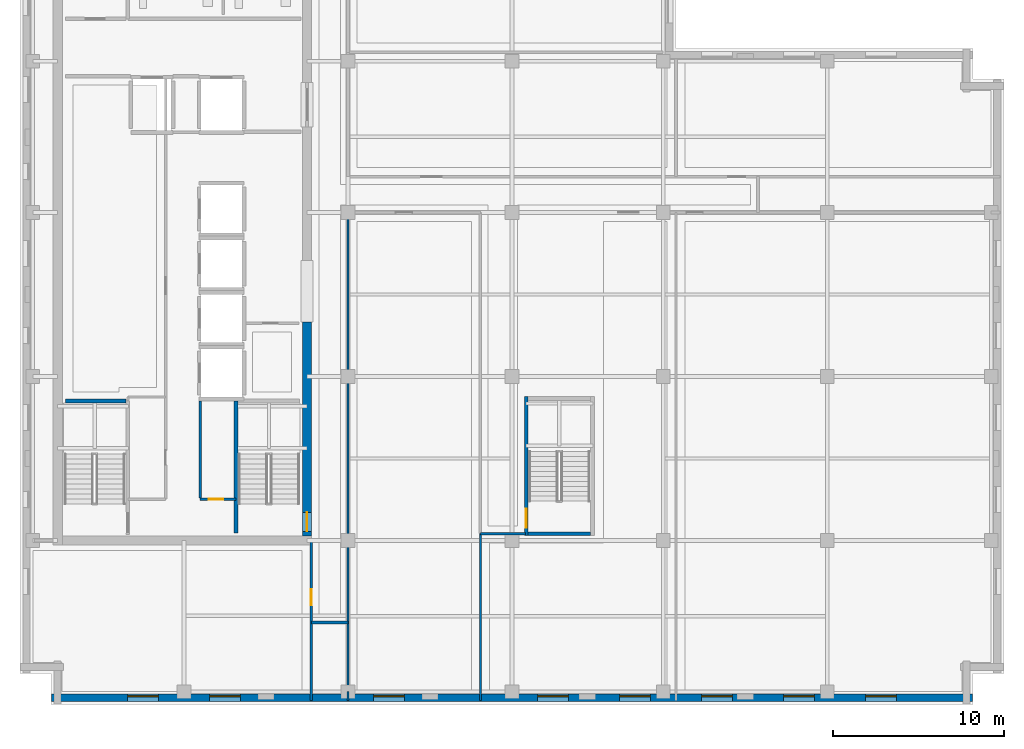
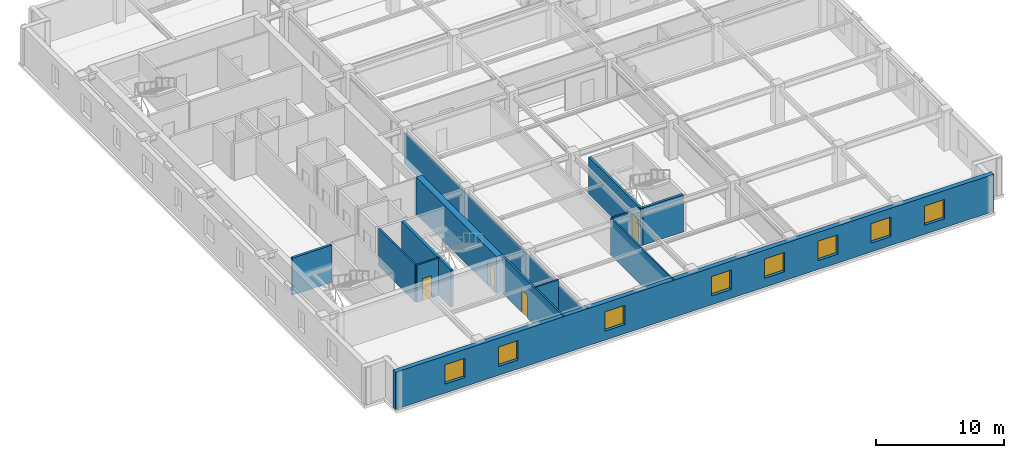
# One storey, part 3 of 12: 14 walls, 8 windows, 4 doors, 12 openings.
"""IFC4 building model written with IfcOpenShell, lengths in metres."""

from ifc_helpers import new_model, si_unit, direction, frame, frame_2d, origin, place, context, subcontext, project, spatial, rectangle, extrude, material, layer, layer_set, type_object, element, fill, save


model = new_model("IFC4")

# Units and contexts
model_context = context("Model", 3, precision=1e-05, world=origin(), true_north=direction((0.0, 1.0)))
body_context = subcontext(model_context, "Body", "Model", "MODEL_VIEW")
ifc_project = project(units=[si_unit("LENGTHUNIT", "METRE"), si_unit("AREAUNIT", "SQUARE_METRE"), si_unit("VOLUMEUNIT", "CUBIC_METRE"), si_unit("PLANEANGLEUNIT", "RADIAN"), si_unit("MASSUNIT", "GRAM", prefix="KILO")], contexts=[model_context])

# Site, building, storey
site_placement = place(None, origin())
site = spatial("IfcSite", under=ifc_project, at=site_placement, CompositionType="ELEMENT")
building_placement = place(site_placement, origin())
building = spatial("IfcBuilding", under=site, at=building_placement, Name="Norrvale University Quadrangle", CompositionType="ELEMENT")
storey_placement = place(building_placement, frame((0.0, 0.0, 244.60009765625)))
storey = spatial("IfcBuildingStorey", under=building, at=storey_placement, Name="L62", CompositionType="ELEMENT", Elevation=244.60009765625)

# Wall, openings, windows
ifc_material_1 = material(Name="Buff Norman Clay Brick Masonry", Category="masonry")
ifc_layer_1 = layer(ifc_material_1, 0.419921875, Name="Buff Norman Clay Brick Masonry")
ifc_layer_set_1 = layer_set([ifc_layer_1], Name="Buff Norman Clay Brick Masonry")
wall_type_1 = type_object("IfcWallType", Name="Wall Buff Brick 420", PredefinedType="SOLIDWALL", material=ifc_layer_set_1)
wall_1_placement = place(storey_placement, frame((1.840087890625, 0.389892578125, 0.0), z_axis=(0.0, 0.0, 1.0), x_axis=(1.0, 0.0, 0.0)))
wall_1 = element("IfcWall", 1, at=wall_1_placement, inside=storey, type_object=wall_type_1, Name="Exterior Brick Facade Wall L62-01.1", PredefinedType="SOLIDWALL", context=body_context, shape_type="SweptSolid", body=[
    extrude(rectangle(XDim=53.919921875, YDim=0.419921875, at=frame_2d((26.9599609375, 0.0))), origin(), (0.0, 0.0, 1.0), 3.539794921875),
])
opening_1_placement = place(wall_1_placement, frame((4.4599609375, 0.0, 0.85009765625)))
opening_1 = element("IfcOpeningElement", 2, at=opening_1_placement, cuts=wall_1, Name="Opening W01", PredefinedType="OPENING", context=body_context, shape_type="SweptSolid", body=[
    extrude(rectangle(XDim=1.800048828125, YDim=1.85009765625, at=frame_2d((0.89990234375, 0.925048828125))), frame((0.0, 0.221923828125, 0.0), z_axis=(0.0, -1.0, 0.0), x_axis=(1.0, 0.0, 0.0)), (0.0, 0.0, 1.0), 0.44384765625),
])
opening_2_placement = place(wall_1_placement, frame((9.260009765625, 0.0, 0.85009765625)))
opening_2 = element("IfcOpeningElement", 3, at=opening_2_placement, cuts=wall_1, Name="Opening W01", PredefinedType="OPENING", context=body_context, shape_type="SweptSolid", body=[
    extrude(rectangle(XDim=1.800048828125, YDim=1.85009765625, at=frame_2d((0.89990234375, 0.925048828125))), frame((0.0, 0.221923828125, 0.0), z_axis=(0.0, -1.0, 0.0), x_axis=(1.0, 0.0, 0.0)), (0.0, 0.0, 1.0), 0.44384765625),
])
opening_3_placement = place(wall_1_placement, frame((18.860107421875, 0.0, 0.85009765625)))
opening_3 = element("IfcOpeningElement", 4, at=opening_3_placement, cuts=wall_1, Name="Opening W01", PredefinedType="OPENING", context=body_context, shape_type="SweptSolid", body=[
    extrude(rectangle(XDim=1.800048828125, YDim=1.85009765625, at=frame_2d((0.89990234375, 0.925048828125))), frame((0.0, 0.221923828125, 0.0), z_axis=(0.0, -1.0, 0.0), x_axis=(1.0, 0.0, 0.0)), (0.0, 0.0, 1.0), 0.44384765625),
])
opening_4_placement = place(wall_1_placement, frame((28.4599609375, 0.0, 0.85009765625)))
opening_4 = element("IfcOpeningElement", 5, at=opening_4_placement, cuts=wall_1, Name="Opening W01", PredefinedType="OPENING", context=body_context, shape_type="SweptSolid", body=[
    extrude(rectangle(XDim=1.800048828125, YDim=1.85009765625, at=frame_2d((0.89990234375, 0.925048828125))), frame((0.0, 0.221923828125, 0.0), z_axis=(0.0, -1.0, 0.0), x_axis=(1.0, 0.0, 0.0)), (0.0, 0.0, 1.0), 0.44384765625),
])
opening_5_placement = place(wall_1_placement, frame((33.260009765625, 0.0, 0.85009765625)))
opening_5 = element("IfcOpeningElement", 6, at=opening_5_placement, cuts=wall_1, Name="Opening W01", PredefinedType="OPENING", context=body_context, shape_type="SweptSolid", body=[
    extrude(rectangle(XDim=1.800048828125, YDim=1.85009765625, at=frame_2d((0.89990234375, 0.925048828125))), frame((0.0, 0.221923828125, 0.0), z_axis=(0.0, -1.0, 0.0), x_axis=(1.0, 0.0, 0.0)), (0.0, 0.0, 1.0), 0.44384765625),
])
opening_6_placement = place(wall_1_placement, frame((38.06005859375, 0.0, 0.85009765625)))
opening_6 = element("IfcOpeningElement", 7, at=opening_6_placement, cuts=wall_1, Name="Opening W01", PredefinedType="OPENING", context=body_context, shape_type="SweptSolid", body=[
    extrude(rectangle(XDim=1.800048828125, YDim=1.85009765625, at=frame_2d((0.89990234375, 0.925048828125))), frame((0.0, 0.221923828125, 0.0), z_axis=(0.0, -1.0, 0.0), x_axis=(1.0, 0.0, 0.0)), (0.0, 0.0, 1.0), 0.44384765625),
])
opening_7_placement = place(wall_1_placement, frame((42.860107421875, 0.0, 0.85009765625)))
opening_7 = element("IfcOpeningElement", 8, at=opening_7_placement, cuts=wall_1, Name="Opening W01", PredefinedType="OPENING", context=body_context, shape_type="SweptSolid", body=[
    extrude(rectangle(XDim=1.800048828125, YDim=1.85009765625, at=frame_2d((0.89990234375, 0.925048828125))), frame((0.0, 0.221923828125, 0.0), z_axis=(0.0, -1.0, 0.0), x_axis=(1.0, 0.0, 0.0)), (0.0, 0.0, 1.0), 0.44384765625),
])
opening_8_placement = place(wall_1_placement, frame((47.659912109375, 0.0, 0.85009765625)))
opening_8 = element("IfcOpeningElement", 9, at=opening_8_placement, cuts=wall_1, Name="Opening W01", PredefinedType="OPENING", context=body_context, shape_type="SweptSolid", body=[
    extrude(rectangle(XDim=1.800048828125, YDim=1.85009765625, at=frame_2d((0.89990234375, 0.925048828125))), frame((0.0, 0.221923828125, 0.0), z_axis=(0.0, -1.0, 0.0), x_axis=(1.0, 0.0, 0.0)), (0.0, 0.0, 1.0), 0.44384765625),
])
ifc_material_2 = material(Name="Triple Low-E Argon Glazing", Category="glass")
window_type = type_object("IfcWindowType", Name="Window Academic 1800x2300", PartitioningType="DOUBLE_PANEL_VERTICAL", PredefinedType="WINDOW", material=ifc_material_2)
window_1_placement = place(opening_1_placement, origin())
window_1 = element("IfcWindow", 10, at=window_1_placement, inside=storey, type_object=window_type, Name="Window Academic 1800x2300 WIN-L62-E01-1-01", OverallHeight=1.85009765625, OverallWidth=1.800048828125, PartitioningType="DOUBLE_PANEL_VERTICAL", PredefinedType="WINDOW", context=body_context, shape_type="SweptSolid", body=[
    extrude(rectangle(XDim=1.800048828125, YDim=1.85009765625, at=frame_2d((0.89990234375, 0.925048828125))), frame((0.0, 0.110107421875, 0.0), z_axis=(0.0, -1.0, 0.0), x_axis=(1.0, 0.0, 0.0)), (0.0, 0.0, 1.0), 0.06005859375),
])
fill(opening_1, window_1)
window_2_placement = place(opening_2_placement, origin())
window_2 = element("IfcWindow", 11, at=window_2_placement, inside=storey, type_object=window_type, Name="Window Academic 1800x2300 WIN-L62-E01-1-02", OverallHeight=1.85009765625, OverallWidth=1.800048828125, PartitioningType="DOUBLE_PANEL_VERTICAL", PredefinedType="WINDOW", context=body_context, shape_type="SweptSolid", body=[
    extrude(rectangle(XDim=1.800048828125, YDim=1.85009765625, at=frame_2d((0.89990234375, 0.925048828125))), frame((0.0, 0.110107421875, 0.0), z_axis=(0.0, -1.0, 0.0), x_axis=(1.0, 0.0, 0.0)), (0.0, 0.0, 1.0), 0.06005859375),
])
fill(opening_2, window_2)
window_3_placement = place(opening_3_placement, origin())
window_3 = element("IfcWindow", 12, at=window_3_placement, inside=storey, type_object=window_type, Name="Window Academic 1800x2300 WIN-L62-E01-1-03", OverallHeight=1.85009765625, OverallWidth=1.800048828125, PartitioningType="DOUBLE_PANEL_VERTICAL", PredefinedType="WINDOW", context=body_context, shape_type="SweptSolid", body=[
    extrude(rectangle(XDim=1.800048828125, YDim=1.85009765625, at=frame_2d((0.89990234375, 0.925048828125))), frame((0.0, 0.110107421875, 0.0), z_axis=(0.0, -1.0, 0.0), x_axis=(1.0, 0.0, 0.0)), (0.0, 0.0, 1.0), 0.06005859375),
])
fill(opening_3, window_3)
window_4_placement = place(opening_4_placement, origin())
window_4 = element("IfcWindow", 13, at=window_4_placement, inside=storey, type_object=window_type, Name="Window Academic 1800x2300 WIN-L62-E01-1-04", OverallHeight=1.85009765625, OverallWidth=1.800048828125, PartitioningType="DOUBLE_PANEL_VERTICAL", PredefinedType="WINDOW", context=body_context, shape_type="SweptSolid", body=[
    extrude(rectangle(XDim=1.800048828125, YDim=1.85009765625, at=frame_2d((0.89990234375, 0.925048828125))), frame((0.0, 0.110107421875, 0.0), z_axis=(0.0, -1.0, 0.0), x_axis=(1.0, 0.0, 0.0)), (0.0, 0.0, 1.0), 0.06005859375),
])
fill(opening_4, window_4)
window_5_placement = place(opening_5_placement, origin())
window_5 = element("IfcWindow", 14, at=window_5_placement, inside=storey, type_object=window_type, Name="Window Academic 1800x2300 WIN-L62-E01-1-05", OverallHeight=1.85009765625, OverallWidth=1.800048828125, PartitioningType="DOUBLE_PANEL_VERTICAL", PredefinedType="WINDOW", context=body_context, shape_type="SweptSolid", body=[
    extrude(rectangle(XDim=1.800048828125, YDim=1.85009765625, at=frame_2d((0.89990234375, 0.925048828125))), frame((0.0, 0.110107421875, 0.0), z_axis=(0.0, -1.0, 0.0), x_axis=(1.0, 0.0, 0.0)), (0.0, 0.0, 1.0), 0.06005859375),
])
fill(opening_5, window_5)
window_6_placement = place(opening_6_placement, origin())
window_6 = element("IfcWindow", 15, at=window_6_placement, inside=storey, type_object=window_type, Name="Window Academic 1800x2300 WIN-L62-E01-1-06", OverallHeight=1.85009765625, OverallWidth=1.800048828125, PartitioningType="DOUBLE_PANEL_VERTICAL", PredefinedType="WINDOW", context=body_context, shape_type="SweptSolid", body=[
    extrude(rectangle(XDim=1.800048828125, YDim=1.85009765625, at=frame_2d((0.89990234375, 0.925048828125))), frame((0.0, 0.110107421875, 0.0), z_axis=(0.0, -1.0, 0.0), x_axis=(1.0, 0.0, 0.0)), (0.0, 0.0, 1.0), 0.06005859375),
])
fill(opening_6, window_6)
window_7_placement = place(opening_7_placement, origin())
window_7 = element("IfcWindow", 16, at=window_7_placement, inside=storey, type_object=window_type, Name="Window Academic 1800x2300 WIN-L62-E01-1-07", OverallHeight=1.85009765625, OverallWidth=1.800048828125, PartitioningType="DOUBLE_PANEL_VERTICAL", PredefinedType="WINDOW", context=body_context, shape_type="SweptSolid", body=[
    extrude(rectangle(XDim=1.800048828125, YDim=1.85009765625, at=frame_2d((0.89990234375, 0.925048828125))), frame((0.0, 0.110107421875, 0.0), z_axis=(0.0, -1.0, 0.0), x_axis=(1.0, 0.0, 0.0)), (0.0, 0.0, 1.0), 0.06005859375),
])
fill(opening_7, window_7)
window_8_placement = place(opening_8_placement, origin())
window_8 = element("IfcWindow", 17, at=window_8_placement, inside=storey, type_object=window_type, Name="Window Academic 1800x2300 WIN-L62-E01-1-08", OverallHeight=1.85009765625, OverallWidth=1.800048828125, PartitioningType="DOUBLE_PANEL_VERTICAL", PredefinedType="WINDOW", context=body_context, shape_type="SweptSolid", body=[
    extrude(rectangle(XDim=1.800048828125, YDim=1.85009765625, at=frame_2d((0.89990234375, 0.925048828125))), frame((0.0, 0.110107421875, 0.0), z_axis=(0.0, -1.0, 0.0), x_axis=(1.0, 0.0, 0.0)), (0.0, 0.0, 1.0), 0.06005859375),
])
fill(opening_8, window_8)

# Wall, opening, door
ifc_material_3 = material(Name="Concrete C60/75", Category="concrete")
ifc_layer_2 = layer(ifc_material_3, 0.550048828125, Name="Concrete C60/75")
ifc_layer_set_2 = layer_set([ifc_layer_2], Name="Concrete C60/75")
wall_type_2 = type_object("IfcWallType", Name="Wall Core 550", PredefinedType="SHEAR", material=ifc_layer_set_2)
wall_2_placement = place(storey_placement, frame((16.800048828125, 9.875, 0.0), z_axis=(0.0, 0.0, 1.0), x_axis=(0.0, 1.0, 0.0)))
wall_2 = element("IfcWall", 18, at=wall_2_placement, inside=storey, type_object=wall_type_2, Name="Tower Core Shear Wall L62-E1", PredefinedType="SHEAR", context=body_context, shape_type="SweptSolid", body=[
    extrude(rectangle(XDim=12.52490234375, YDim=0.550048828125, at=frame_2d((6.262451171875, 0.0))), origin(), (0.0, 0.0, 1.0), 3.539794921875),
])
opening_9_placement = place(wall_2_placement, frame((0.264892578125, 0.0, 0.0)))
opening_9 = element("IfcOpeningElement", 19, at=opening_9_placement, cuts=wall_2, Name="Opening D02", PredefinedType="OPENING", context=body_context, shape_type="SweptSolid", body=[
    extrude(rectangle(XDim=1.10009765625, YDim=2.199951171875, at=frame_2d((0.550048828125, 1.10009765625))), frame((0.0, 0.287109375, 0.0), z_axis=(0.0, -1.0, 0.0), x_axis=(1.0, 0.0, 0.0)), (0.0, 0.0, 1.0), 0.573974609375),
])
ifc_material_4 = material(Name="Hollow Steel 350W Fire Door", Category="steel")
door_type_1 = type_object("IfcDoorType", Name="Door Stair Exit 1100x2200", OperationType="NOTDEFINED", PredefinedType="DOOR", material=ifc_material_4)
door_1_placement = place(opening_9_placement, origin())
door_1 = element("IfcDoor", 20, at=door_1_placement, inside=storey, type_object=door_type_1, Name="Door Stair Exit 1100x2200 DR-L62-ST03", OperationType="SINGLE_SWING_LEFT", OverallHeight=2.199951171875, OverallWidth=1.10009765625, PredefinedType="DOOR", context=body_context, shape_type="SweptSolid", body=[
    extrude(rectangle(XDim=1.10009765625, YDim=2.199951171875, at=frame_2d((0.550048828125, 1.10009765625))), frame((0.0, 0.02490234375, 0.0), z_axis=(0.0, -1.0, 0.0), x_axis=(1.0, 0.0, 0.0)), (0.0, 0.0, 1.0), 0.050048828125),
])
fill(opening_9, door_1)

# Walls
ifc_material_5 = material(Name="Standard Academic Gypsum Partition")
ifc_layer_3 = layer(ifc_material_5, 0.125, Name="Standard Academic Gypsum Partition")
ifc_layer_set_3 = layer_set([ifc_layer_3], Name="Standard Academic Gypsum Partition")
wall_type_3 = type_object("IfcWallType", Name="Wall Gypsum Academic 125", PredefinedType="PARTITIONING", material=ifc_layer_set_3)
wall_3_placement = place(storey_placement, frame((19.199951171875, 0.219970703125, 0.0), z_axis=(0.0, 0.0, 1.0), x_axis=(0.0, 1.0, 0.0)))
element("IfcWall", 21, at=wall_3_placement, inside=storey, type_object=wall_type_3, Name="Interior Partition WL-L62-SE-W0", PredefinedType="PARTITIONING", context=body_context, shape_type="SweptSolid", body=[
    extrude(rectangle(XDim=0.530029296875, YDim=0.125, at=frame_2d((0.26513671875, 0.0))), origin(), (0.0, 0.0, 1.0), 3.539794921875),
])
wall_4_placement = place(storey_placement, frame((19.199951171875, 0.75, 0.0), z_axis=(0.0, 0.0, 1.0), x_axis=(0.0, 1.0, 0.0)))
element("IfcWall", 22, at=wall_4_placement, inside=storey, type_object=wall_type_3, Name="Interior Partition WL-L62-SE-W0-B2", PredefinedType="PARTITIONING", context=body_context, shape_type="SweptSolid", body=[
    extrude(rectangle(XDim=28.050048828125, YDim=0.125, at=frame_2d((14.02490234375, 0.0))), origin(), (0.0, 0.0, 1.0), 3.0068359375),
])
wall_5_placement = place(storey_placement, frame((26.949951171875, 0.219970703125, 0.0), z_axis=(0.0, 0.0, 1.0), x_axis=(0.0, 1.0, 0.0)))
element("IfcWall", 23, at=wall_5_placement, inside=storey, type_object=wall_type_3, Name="Interior Partition WL-L62-SEP1A", PredefinedType="PARTITIONING", context=body_context, shape_type="SweptSolid", body=[
    extrude(rectangle(XDim=9.780029296875, YDim=0.125, at=frame_2d((4.89013671875, 0.0))), origin(), (0.0, 0.0, 1.0), 3.539794921875),
])

# Wall, opening, door
ifc_material_6 = material(Name="Fire-Rated Gypsum Stud Partition")
ifc_layer_4 = layer(ifc_material_6, 0.14990234375, Name="Fire-Rated Gypsum Stud Partition")
ifc_layer_set_4 = layer_set([ifc_layer_4], Name="Fire-Rated Gypsum Stud Partition")
wall_type_4 = type_object("IfcWallType", Name="Wall Gypsum Corridor 150", PredefinedType="PARTITIONING", material=ifc_layer_set_4)
wall_6_placement = place(storey_placement, frame((10.550048828125, 12.02001953125, 0.0), z_axis=(0.0, 0.0, 1.0), x_axis=(1.0, 0.0, 0.0)))
wall_6 = element("IfcWall", 24, at=wall_6_placement, inside=storey, type_object=wall_type_4, Name="Interior Partition WL-L62-SC-NR", PredefinedType="PARTITIONING", context=body_context, shape_type="SweptSolid", body=[
    extrude(rectangle(XDim=2.079833984375, YDim=0.14990234375, at=frame_2d((1.0400390625, 0.0))), origin(), (0.0, 0.0, 1.0), 3.539794921875),
])
opening_10_placement = place(wall_6_placement, frame((0.5, 0.0, 0.0)))
opening_10 = element("IfcOpeningElement", 25, at=opening_10_placement, cuts=wall_6, Name="Opening D10", PredefinedType="OPENING", context=body_context, shape_type="SweptSolid", body=[
    extrude(rectangle(XDim=0.85009765625, YDim=2.10009765625, at=frame_2d((0.425048828125, 1.050048828125))), frame((0.0, 0.0869140625, 0.0), z_axis=(0.0, -1.0, 0.0), x_axis=(1.0, 0.0, 0.0)), (0.0, 0.0, 1.0), 0.173828125),
])
ifc_material_7 = material(Name="Hollow Steel 350W Riser Fire Door", Category="steel")
door_type_2 = type_object("IfcDoorType", Name="Door Riser 850x2100", OperationType="NOTDEFINED", PredefinedType="DOOR", material=ifc_material_7)
door_2_placement = place(opening_10_placement, origin())
door_2 = element("IfcDoor", 26, at=door_2_placement, inside=storey, type_object=door_type_2, Name="Door Riser 850x2100 DR-L62-IDF", OperationType="SINGLE_SWING_RIGHT", OverallHeight=2.10009765625, OverallWidth=0.85009765625, PredefinedType="DOOR", context=body_context, shape_type="SweptSolid", body=[
    extrude(rectangle(XDim=0.85009765625, YDim=2.10009765625, at=frame_2d((0.425048828125, 1.050048828125))), frame((0.0, 0.02490234375, 0.0), z_axis=(0.0, -1.0, 0.0), x_axis=(1.0, 0.0, 0.0)), (0.0, 0.0, 1.0), 0.050048828125),
])
fill(opening_10, door_2)

# Walls
wall_7_placement = place(storey_placement, frame((10.550048828125, 12.094970703125, 0.0), z_axis=(0.0, 0.0, 1.0), x_axis=(0.0, 1.0, 0.0)))
element("IfcWall", 27, at=wall_7_placement, inside=storey, type_object=wall_type_4, Name="Interior Partition WL-L62-SC-WR", PredefinedType="PARTITIONING", context=body_context, shape_type="SweptSolid", body=[
    extrude(rectangle(XDim=5.679931640625, YDim=0.14990234375, at=frame_2d((2.83984375, 0.0))), origin(), (0.0, 0.0, 1.0), 3.539794921875),
])
wall_8_placement = place(storey_placement, frame((17.050048828125, 4.800048828125, 0.0), z_axis=(0.0, 0.0, 1.0), x_axis=(1.0, 0.0, 0.0)))
element("IfcWall", 28, at=wall_8_placement, inside=storey, type_object=wall_type_4, Name="Interior Partition WL-L62-CSP-S", PredefinedType="PARTITIONING", context=body_context, shape_type="SweptSolid", body=[
    extrude(rectangle(XDim=2.14990234375, YDim=0.14990234375, at=frame_2d((1.074951171875, 0.0))), origin(), (0.0, 0.0, 1.0), 3.539794921875),
])

# Wall, opening, door
wall_9_placement = place(storey_placement, frame((17.050048828125, 0.219970703125, 0.0), z_axis=(0.0, 0.0, 1.0), x_axis=(0.0, 1.0, 0.0)))
wall_9 = element("IfcWall", 29, at=wall_9_placement, inside=storey, type_object=wall_type_4, Name="Interior Partition WL-L62-SW-E", PredefinedType="PARTITIONING", context=body_context, shape_type="SweptSolid", body=[
    extrude(rectangle(XDim=9.380126953125, YDim=0.14990234375, at=frame_2d((4.68994140625, 0.0))), origin(), (0.0, 0.0, 1.0), 3.539794921875),
])
opening_11_placement = place(wall_9_placement, frame((5.580078125, 0.0, 0.0)))
opening_11 = element("IfcOpeningElement", 30, at=opening_11_placement, cuts=wall_9, Name="Opening D07", PredefinedType="OPENING", context=body_context, shape_type="SweptSolid", body=[
    extrude(rectangle(XDim=0.949951171875, YDim=2.14990234375, at=frame_2d((0.47509765625, 1.074951171875))), frame((0.0, 0.0869140625, 0.0), z_axis=(0.0, -1.0, 0.0), x_axis=(1.0, 0.0, 0.0)), (0.0, 0.0, 1.0), 0.173828125),
])
ifc_material_8 = material(Name="Solid-Core Maple Door", Category="wood")
door_type_3 = type_object("IfcDoorType", Name="Door Office 950x2150", OperationType="NOTDEFINED", PredefinedType="DOOR", material=ifc_material_8)
door_3_placement = place(opening_11_placement, origin())
door_3 = element("IfcDoor", 31, at=door_3_placement, inside=storey, type_object=door_type_3, Name="Door Office 950x2150 DR-L62-SW1", OperationType="SINGLE_SWING_LEFT", OverallHeight=2.14990234375, OverallWidth=0.949951171875, PredefinedType="DOOR", context=body_context, shape_type="SweptSolid", body=[
    extrude(rectangle(XDim=0.949951171875, YDim=2.14990234375, at=frame_2d((0.47509765625, 1.074951171875))), frame((0.0, 0.02490234375, 0.0), z_axis=(0.0, -1.0, 0.0), x_axis=(1.0, 0.0, 0.0)), (0.0, 0.0, 1.0), 0.050048828125),
])
fill(opening_11, door_3)

# Walls
wall_10_placement = place(storey_placement, frame((26.949951171875, 10.0, 0.0), z_axis=(0.0, 0.0, 1.0), x_axis=(1.0, 0.0, 0.0)))
element("IfcWall", 32, at=wall_10_placement, inside=storey, type_object=wall_type_4, Name="Interior Partition WL-L62-SEP1C", PredefinedType="PARTITIONING", context=body_context, shape_type="SweptSolid", body=[
    extrude(rectangle(XDim=2.630126953125, YDim=0.14990234375, at=frame_2d((1.31494140625, 0.0))), origin(), (0.0, 0.0, 1.0), 3.539794921875),
])
ifc_material_9 = material(Name="Concrete Blockwork 20 MPa Fire Shaft", Category="masonry")
ifc_layer_5 = layer(ifc_material_9, 0.219970703125, Name="Concrete Blockwork 20 MPa Fire Shaft")
ifc_layer_set_5 = layer_set([ifc_layer_5], Name="Concrete Blockwork 20 MPa Fire Shaft")
wall_type_5 = type_object("IfcWallType", Name="Wall Shaft 220", PredefinedType="SOLIDWALL", material=ifc_layer_set_5)
wall_11_placement = place(storey_placement, frame((2.64990234375, 17.760009765625, 0.0), z_axis=(0.0, 0.0, 1.0), x_axis=(1.0, 0.0, 0.0)))
element("IfcWall", 33, at=wall_11_placement, inside=storey, type_object=wall_type_5, Name="Stair ST-01 North Shaft Wall L62", PredefinedType="SOLIDWALL", context=body_context, shape_type="SweptSolid", body=[
    extrude(rectangle(XDim=3.550048828125, YDim=0.219970703125, at=frame_2d((1.77490234375, 0.0))), origin(), (0.0, 0.0, 1.0), 3.539794921875),
])
wall_12_placement = place(storey_placement, frame((12.639892578125, 10.050048828125, 0.0), z_axis=(0.0, 0.0, 1.0), x_axis=(0.0, 1.0, 0.0)))
element("IfcWall", 34, at=wall_12_placement, inside=storey, type_object=wall_type_5, Name="Stair ST-03 West Shaft Wall L62", PredefinedType="SOLIDWALL", context=body_context, shape_type="SweptSolid", body=[
    extrude(rectangle(XDim=7.7099609375, YDim=0.219970703125, at=frame_2d((3.85498046875, 0.0))), origin(), (0.0, 0.0, 1.0), 3.539794921875),
])
wall_13_placement = place(storey_placement, frame((29.75, 9.989990234375, 0.0), z_axis=(0.0, 0.0, 1.0), x_axis=(1.0, 0.0, 0.0)))
element("IfcWall", 35, at=wall_13_placement, inside=storey, type_object=wall_type_5, Name="Stair ST-04 South Shaft Wall L62", PredefinedType="SOLIDWALL", context=body_context, shape_type="SweptSolid", body=[
    extrude(rectangle(XDim=3.64990234375, YDim=0.219970703125, at=frame_2d((1.824951171875, 0.0))), origin(), (0.0, 0.0, 1.0), 3.539794921875),
])

# Wall, opening, door
wall_14_placement = place(storey_placement, frame((29.639892578125, 9.8798828125, 0.0), z_axis=(0.0, 0.0, 1.0), x_axis=(0.0, 1.0, 0.0)))
wall_14 = element("IfcWall", 36, at=wall_14_placement, inside=storey, type_object=wall_type_5, Name="Stair ST-04 West Shaft Wall L62", PredefinedType="SOLIDWALL", context=body_context, shape_type="SweptSolid", body=[
    extrude(rectangle(XDim=8.14013671875, YDim=0.219970703125, at=frame_2d((4.070068359375, 0.0))), origin(), (0.0, 0.0, 1.0), 3.539794921875),
])
opening_12_placement = place(wall_14_placement, frame((0.469970703125, 0.0, 0.0)))
opening_12 = element("IfcOpeningElement", 37, at=opening_12_placement, cuts=wall_14, Name="Opening D02", PredefinedType="OPENING", context=body_context, shape_type="SweptSolid", body=[
    extrude(rectangle(XDim=1.10009765625, YDim=2.199951171875, at=frame_2d((0.550048828125, 1.10009765625))), frame((0.0, 0.1220703125, 0.0), z_axis=(0.0, -1.0, 0.0), x_axis=(1.0, 0.0, 0.0)), (0.0, 0.0, 1.0), 0.243896484375),
])
door_4_placement = place(opening_12_placement, frame((1.10009765625, 0.0, 0.0), z_axis=(0.0, 0.0, 1.0), x_axis=(-1.0, 0.0, 0.0)))
door_4 = element("IfcDoor", 38, at=door_4_placement, inside=storey, type_object=door_type_1, Name="Door Stair Exit 1100x2200 DR-L62-ST04", OperationType="SINGLE_SWING_RIGHT", OverallHeight=2.199951171875, OverallWidth=1.10009765625, PredefinedType="DOOR", context=body_context, shape_type="SweptSolid", body=[
    extrude(rectangle(XDim=1.10009765625, YDim=2.199951171875, at=frame_2d((0.550048828125, 1.10009765625))), frame((0.0, 0.02490234375, 0.0), z_axis=(0.0, -1.0, 0.0), x_axis=(1.0, 0.0, 0.0)), (0.0, 0.0, 1.0), 0.050048828125),
])
fill(opening_12, door_4)

save(model, "model.ifc")
